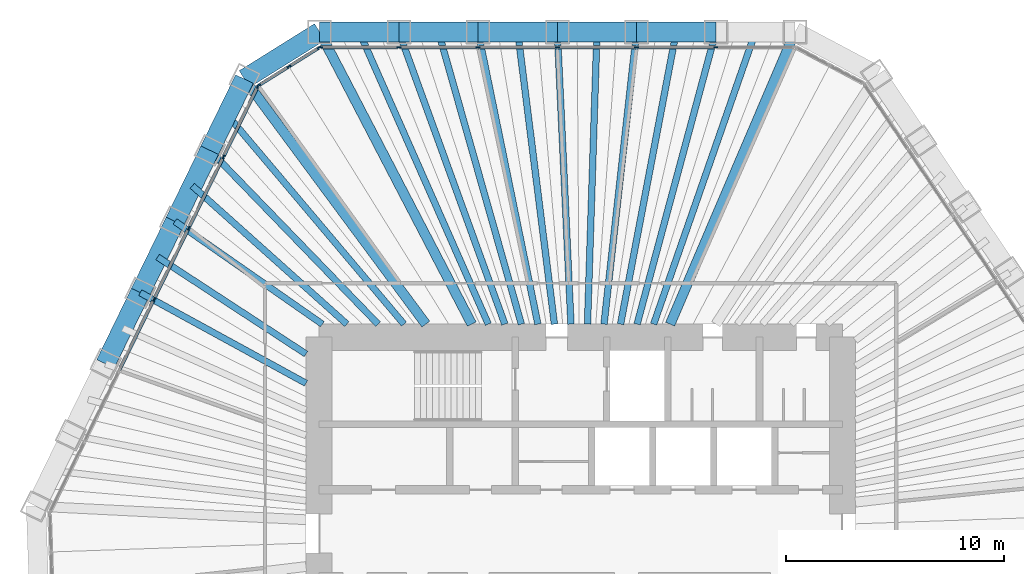
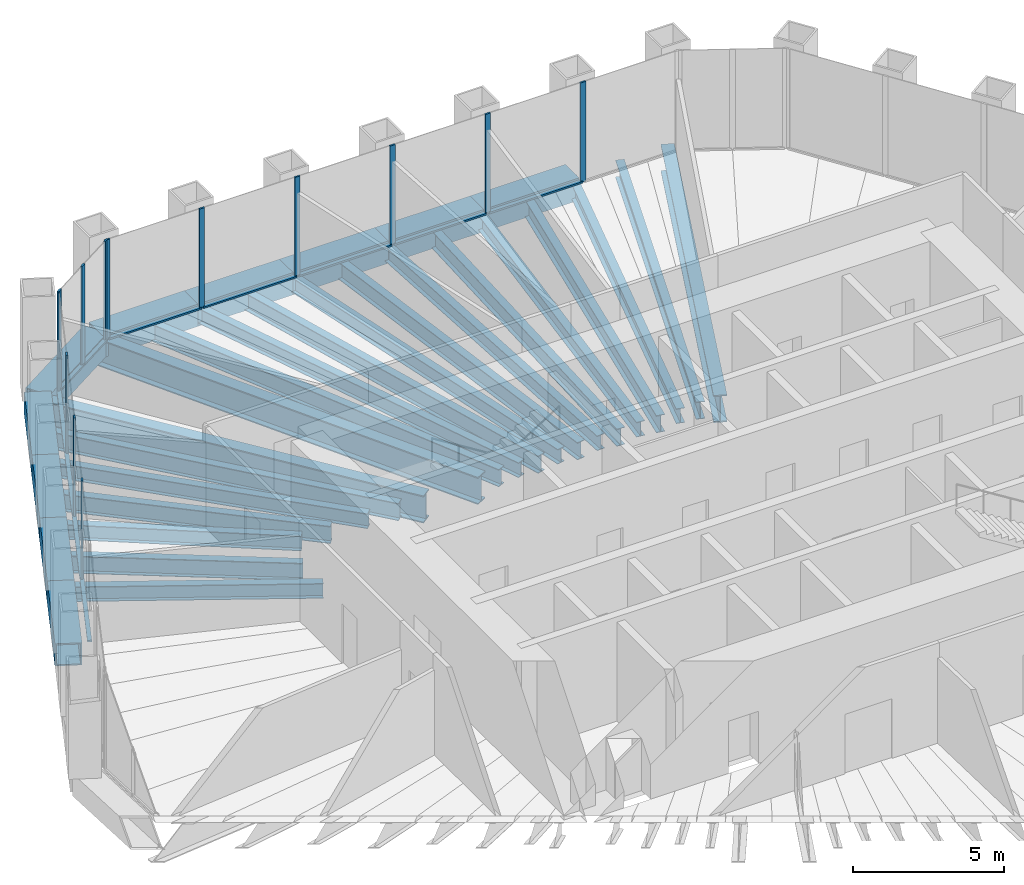
# One storey, part 6 of 14: 30 beams, 24 members, 3 elements without a shape of their own.
"""IFC4 building model written with IfcOpenShell, lengths in metres."""

from ifc_helpers import new_model, si_unit, direction, frame, origin, origin_2d, place, context, subcontext, project, spatial, rectangle, hollow_rectangle, i_section, extrude, material, material_profile, profile_set, type_object, element, aggregate, save


model = new_model("IFC4")

# Units and contexts
model_context = context("Model", 3, precision=1e-05, world=origin(), true_north=direction((0.0, 1.0)))
body_context = subcontext(model_context, "Body", "Model", "MODEL_VIEW")
ifc_project = project(units=[si_unit("LENGTHUNIT", "METRE"), si_unit("AREAUNIT", "SQUARE_METRE"), si_unit("VOLUMEUNIT", "CUBIC_METRE"), si_unit("PLANEANGLEUNIT", "RADIAN"), si_unit("MASSUNIT", "GRAM", prefix="KILO")], contexts=[model_context])

# Site, building, storey
site_placement = place(None, origin())
site = spatial("IfcSite", under=ifc_project, at=site_placement, CompositionType="ELEMENT")
building_placement = place(site_placement, origin())
building = spatial("IfcBuilding", under=site, at=building_placement, Name="Qingtian Harvest Tower", CompositionType="ELEMENT")
storey_placement = place(building_placement, frame((0.0, 0.0, 201.39990234375)))
storey = spatial("IfcBuildingStorey", under=building, at=storey_placement, Name="L43", CompositionType="ELEMENT", Elevation=201.39990234375)

# Beams
ifc_material_1 = material(Name="Steel SM570MC", Category="steel")
ifc_material_profile_1 = material_profile(ifc_material_1, i_section(OverallWidth=0.449951171875, OverallDepth=1.10009765625, WebThickness=0.02197265625, FlangeThickness=0.044921875, at=origin_2d()), Name="H1100x450x22x45")
ifc_profile_set_1 = profile_set([ifc_material_profile_1], Name="Steel SM570MC")
beam_type_1 = type_object("IfcBeamType", Name="Corner floor beam FB8 H1100x450x22x45", PredefinedType="BEAM", material=ifc_profile_set_1)
beam_1_placement = place(storey_placement, frame((-11.971923828125, 23.0, -0.719970703125), z_axis=(0.461712460868, -0.887029651973, 0.0), x_axis=(0.887029651973, 0.461712460868, 0.0)))
element("IfcBeam", 1, at=beam_1_placement, inside=storey, type_object=beam_type_1, Name="Floor beam FB8 N0", PredefinedType="BEAM", context=body_context, shape_type="SweptSolid", body=[
    extrude(i_section(OverallWidth=0.449951171875, OverallDepth=1.10009765625, WebThickness=0.02197265625, FlangeThickness=0.044921875, at=origin_2d()), origin(), (0.0, 0.0, 1.0), 15.1064453125),
])
beam_2_placement = place(storey_placement, frame((9.829345703125, 23.0, -0.719970703125), z_axis=(-0.392976835482, -0.91954837109, 0.0), x_axis=(0.91954837109, -0.392976835482, 0.0)))
element("IfcBeam", 2, at=beam_2_placement, inside=storey, type_object=beam_type_1, Name="Floor beam FB8 N6", PredefinedType="BEAM", context=body_context, shape_type="SweptSolid", body=[
    extrude(i_section(OverallWidth=0.449951171875, OverallDepth=1.10009765625, WebThickness=0.02197265625, FlangeThickness=0.044921875, at=origin_2d()), origin(), (0.0, 0.0, 1.0), 14.572265625),
])
beam_3_placement = place(storey_placement, frame((-15.424072265625, 20.8427734375, -0.719970703125), z_axis=(0.594854284538, -0.803833552526, 0.0), x_axis=(0.803833552526, 0.594854284538, 0.0)))
element("IfcBeam", 3, at=beam_3_placement, inside=storey, type_object=beam_type_1, Name="Floor beam FB8 NW6", PredefinedType="BEAM", context=body_context, shape_type="SweptSolid", body=[
    extrude(i_section(OverallWidth=0.449951171875, OverallDepth=1.10009765625, WebThickness=0.02197265625, FlangeThickness=0.044921875, at=origin_2d()), origin(), (0.0, 0.0, 1.0), 13.986328125),
])
ifc_material_2 = material(Name="Steel SN490B", Category="steel")
ifc_material_profile_2 = material_profile(ifc_material_2, i_section(OverallWidth=0.300048828125, OverallDepth=0.60009765625, WebThickness=0.011962890625, FlangeThickness=0.02001953125, at=origin_2d()), Name="H600x300x12x20")
ifc_profile_set_2 = profile_set([ifc_material_profile_2], Name="Steel SN490B")
beam_type_2 = type_object("IfcBeamType", Name="Floor beam FB3 H600x300x12x20", PredefinedType="BEAM", material=ifc_profile_set_2)
beam_4_placement = place(storey_placement, frame((-8.33837890625, 23.0, -0.469970703125), z_axis=(0.340826952705, -0.94012604916, 0.0), x_axis=(0.94012604916, 0.340826952705, 0.0)))
element("IfcBeam", 4, at=beam_4_placement, inside=storey, type_object=beam_type_2, Name="Floor beam FB3 N1", PredefinedType="BEAM", context=body_context, shape_type="SweptSolid", body=[
    extrude(i_section(OverallWidth=0.300048828125, OverallDepth=0.60009765625, WebThickness=0.011962890625, FlangeThickness=0.02001953125, at=origin_2d()), origin(), (0.0, 0.0, 1.0), 14.25341796875),
])
beam_5_placement = place(storey_placement, frame((-4.704833984375, 23.0, -0.469970703125), z_axis=(0.200401687601, -0.979713817197, 0.0), x_axis=(0.979713817197, 0.200401687601, 0.0)))
element("IfcBeam", 5, at=beam_5_placement, inside=storey, type_object=beam_type_2, Name="Floor beam FB3 N2", PredefinedType="BEAM", context=body_context, shape_type="SweptSolid", body=[
    extrude(i_section(OverallWidth=0.300048828125, OverallDepth=0.60009765625, WebThickness=0.011962890625, FlangeThickness=0.02001953125, at=origin_2d()), origin(), (0.0, 0.0, 1.0), 13.67724609375),
])
beam_6_placement = place(storey_placement, frame((-1.0712890625, 23.0, -0.469970703125), z_axis=(0.04651883736, -0.998917412888, 0.0), x_axis=(0.998917412888, 0.04651883736, 0.0)))
element("IfcBeam", 6, at=beam_6_placement, inside=storey, type_object=beam_type_2, Name="Floor beam FB3 N3", PredefinedType="BEAM", context=body_context, shape_type="SweptSolid", body=[
    extrude(i_section(OverallWidth=0.300048828125, OverallDepth=0.60009765625, WebThickness=0.011962890625, FlangeThickness=0.02001953125, at=origin_2d()), origin(), (0.0, 0.0, 1.0), 13.414306640625),
])
beam_7_placement = place(storey_placement, frame((2.562255859375, 23.0, -0.469970703125), z_axis=(-0.110727645803, -0.993850787822, 0.0), x_axis=(0.993850787822, -0.110727645803, 0.0)))
element("IfcBeam", 7, at=beam_7_placement, inside=storey, type_object=beam_type_2, Name="Floor beam FB3 N4", PredefinedType="BEAM", context=body_context, shape_type="SweptSolid", body=[
    extrude(i_section(OverallWidth=0.300048828125, OverallDepth=0.60009765625, WebThickness=0.011962890625, FlangeThickness=0.02001953125, at=origin_2d()), origin(), (0.0, 0.0, 1.0), 13.48291015625),
])
beam_8_placement = place(storey_placement, frame((6.19580078125, 23.0, -0.469970703125), z_axis=(-0.260121100906, -0.965576000563, 0.0), x_axis=(0.965576000563, -0.260121100906, 0.0)))
element("IfcBeam", 8, at=beam_8_placement, inside=storey, type_object=beam_type_2, Name="Floor beam FB3 N5", PredefinedType="BEAM", context=body_context, shape_type="SweptSolid", body=[
    extrude(i_section(OverallWidth=0.300048828125, OverallDepth=0.60009765625, WebThickness=0.011962890625, FlangeThickness=0.02001953125, at=origin_2d()), origin(), (0.0, 0.0, 1.0), 13.877685546875),
])
beam_9_placement = place(storey_placement, frame((-20.20263671875, 11.04541015625, -0.469970703125), z_axis=(0.87742673539, -0.479710666988, 0.0), x_axis=(0.479710666988, 0.87742673539, 0.0)))
element("IfcBeam", 9, at=beam_9_placement, inside=storey, type_object=beam_type_2, Name="Floor beam FB3 NW3", PredefinedType="BEAM", context=body_context, shape_type="SweptSolid", body=[
    extrude(i_section(OverallWidth=0.300048828125, OverallDepth=0.60009765625, WebThickness=0.011962890625, FlangeThickness=0.02001953125, at=origin_2d()), origin(), (0.0, 0.0, 1.0), 8.66455078125),
])
beam_10_placement = place(storey_placement, frame((-18.60986328125, 14.311279296875, -0.469970703125), z_axis=(0.820407854234, -0.571778762032, 0.0), x_axis=(0.571778762032, 0.820407854234, 0.0)))
element("IfcBeam", 10, at=beam_10_placement, inside=storey, type_object=beam_type_2, Name="Floor beam FB3 NW4", PredefinedType="BEAM", context=body_context, shape_type="SweptSolid", body=[
    extrude(i_section(OverallWidth=0.300048828125, OverallDepth=0.60009765625, WebThickness=0.011962890625, FlangeThickness=0.02001953125, at=origin_2d()), origin(), (0.0, 0.0, 1.0), 8.239501953125),
])
beam_11_placement = place(storey_placement, frame((-17.016845703125, 17.5771484375, -0.469970703125), z_axis=(0.695569024353, -0.718459276759, 0.0), x_axis=(0.718459276759, 0.695569024353, 0.0)))
element("IfcBeam", 11, at=beam_11_placement, inside=storey, type_object=beam_type_2, Name="Floor beam FB3 NW5", PredefinedType="BEAM", context=body_context, shape_type="SweptSolid", body=[
    extrude(i_section(OverallWidth=0.300048828125, OverallDepth=0.60009765625, WebThickness=0.011962890625, FlangeThickness=0.02001953125, at=origin_2d()), origin(), (0.0, 0.0, 1.0), 11.10302734375),
])
ifc_material_3 = material(Name="Steel SN490B", Category="steel")
ifc_material_profile_3 = material_profile(ifc_material_3, i_section(OverallWidth=0.300048828125, OverallDepth=0.699951171875, WebThickness=0.012939453125, FlangeThickness=0.02392578125, at=origin_2d()), Name="H700x300x13x24")
ifc_profile_set_3 = profile_set([ifc_material_profile_3], Name="Steel SN490B")
beam_type_3 = type_object("IfcBeamType", Name="Floor joist J2 H700x300x13x24", PredefinedType="JOIST", material=ifc_profile_set_3)
beam_12_placement = place(storey_placement, frame((-10.1552734375, 23.0, -0.52001953125), z_axis=(0.40391347792, -0.914797191925, 0.0), x_axis=(0.914797191925, 0.40391347792, 0.0)))
element("IfcBeam", 12, at=beam_12_placement, inside=storey, type_object=beam_type_3, Name="Floor joist J2 N0", PredefinedType="JOIST", context=body_context, shape_type="SweptSolid", body=[
    extrude(i_section(OverallWidth=0.300048828125, OverallDepth=0.699951171875, WebThickness=0.012939453125, FlangeThickness=0.02392578125, at=origin_2d()), origin(), (0.0, 0.0, 1.0), 14.64794921875),
])
beam_13_placement = place(storey_placement, frame((-6.521728515625, 23.0, -0.52001953125), z_axis=(0.272796737564, -0.962071691702, 0.0), x_axis=(0.962071691702, 0.272796737564, 0.0)))
element("IfcBeam", 13, at=beam_13_placement, inside=storey, type_object=beam_type_3, Name="Floor joist J2 N1", PredefinedType="JOIST", context=body_context, shape_type="SweptSolid", body=[
    extrude(i_section(OverallWidth=0.300048828125, OverallDepth=0.699951171875, WebThickness=0.012939453125, FlangeThickness=0.02392578125, at=origin_2d()), origin(), (0.0, 0.0, 1.0), 13.92822265625),
])
beam_14_placement = place(storey_placement, frame((-2.88818359375, 23.0, -0.52001953125), z_axis=(0.124590949529, -0.992208191508, 0.0), x_axis=(0.992208191508, 0.124590949529, 0.0)))
element("IfcBeam", 14, at=beam_14_placement, inside=storey, type_object=beam_type_3, Name="Floor joist J2 N2", PredefinedType="JOIST", context=body_context, shape_type="SweptSolid", body=[
    extrude(i_section(OverallWidth=0.300048828125, OverallDepth=0.699951171875, WebThickness=0.012939453125, FlangeThickness=0.02392578125, at=origin_2d()), origin(), (0.0, 0.0, 1.0), 13.505126953125),
])
beam_15_placement = place(storey_placement, frame((0.745361328125, 23.0, -0.52001953125), z_axis=(-0.032395624487, -0.99947512401, 0.0), x_axis=(0.99947512401, -0.032395624487, 0.0)))
element("IfcBeam", 15, at=beam_15_placement, inside=storey, type_object=beam_type_3, Name="Floor joist J2 N3", PredefinedType="JOIST", context=body_context, shape_type="SweptSolid", body=[
    extrude(i_section(OverallWidth=0.300048828125, OverallDepth=0.699951171875, WebThickness=0.012939453125, FlangeThickness=0.02392578125, at=origin_2d()), origin(), (0.0, 0.0, 1.0), 13.406982421875),
])
beam_16_placement = place(storey_placement, frame((4.37890625, 23.0, -0.52001953125), z_axis=(-0.187034797062, -0.982353289142, 0.0), x_axis=(0.982353289142, -0.187034797062, 0.0)))
element("IfcBeam", 16, at=beam_16_placement, inside=storey, type_object=beam_type_3, Name="Floor joist J2 N4", PredefinedType="JOIST", context=body_context, shape_type="SweptSolid", body=[
    extrude(i_section(OverallWidth=0.300048828125, OverallDepth=0.699951171875, WebThickness=0.012939453125, FlangeThickness=0.02392578125, at=origin_2d()), origin(), (0.0, 0.0, 1.0), 13.640625),
])
beam_17_placement = place(storey_placement, frame((8.012451171875, 23.0, -0.52001953125), z_axis=(-0.328969033283, -0.944340709247, 0.0), x_axis=(0.944340709247, -0.328969033283, 0.0)))
element("IfcBeam", 17, at=beam_17_placement, inside=storey, type_object=beam_type_3, Name="Floor joist J2 N5", PredefinedType="JOIST", context=body_context, shape_type="SweptSolid", body=[
    extrude(i_section(OverallWidth=0.300048828125, OverallDepth=0.699951171875, WebThickness=0.012939453125, FlangeThickness=0.02392578125, at=origin_2d()), origin(), (0.0, 0.0, 1.0), 14.189697265625),
])
beam_18_placement = place(storey_placement, frame((-19.40625, 12.678466796875, -0.52001953125), z_axis=(0.837161066611, -0.546956441182, 0.0), x_axis=(0.546956441182, 0.837161066611, 0.0)))
element("IfcBeam", 18, at=beam_18_placement, inside=storey, type_object=beam_type_3, Name="Floor joist J2 NW3", PredefinedType="JOIST", context=body_context, shape_type="SweptSolid", body=[
    extrude(i_section(OverallWidth=0.300048828125, OverallDepth=0.699951171875, WebThickness=0.012939453125, FlangeThickness=0.02392578125, at=origin_2d()), origin(), (0.0, 0.0, 1.0), 8.130126953125),
])
beam_19_placement = place(storey_placement, frame((-17.813232421875, 15.944091796875, -0.52001953125), z_axis=(0.745126517589, -0.66692313859, 0.0), x_axis=(0.66692313859, 0.745126517589, 0.0)))
element("IfcBeam", 19, at=beam_19_placement, inside=storey, type_object=beam_type_3, Name="Floor joist J2 NW4", PredefinedType="JOIST", context=body_context, shape_type="SweptSolid", body=[
    extrude(i_section(OverallWidth=0.300048828125, OverallDepth=0.699951171875, WebThickness=0.012939453125, FlangeThickness=0.02392578125, at=origin_2d()), origin(), (0.0, 0.0, 1.0), 9.512451171875),
])
beam_20_placement = place(storey_placement, frame((-16.220458984375, 19.2099609375, -0.52001953125), z_axis=(0.645157903911, -0.764049264787, 0.0), x_axis=(0.764049264787, 0.645157903911, 0.0)))
element("IfcBeam", 20, at=beam_20_placement, inside=storey, type_object=beam_type_3, Name="Floor joist J2 NW5", PredefinedType="JOIST", context=body_context, shape_type="SweptSolid", body=[
    extrude(i_section(OverallWidth=0.300048828125, OverallDepth=0.699951171875, WebThickness=0.012939453125, FlangeThickness=0.02392578125, at=origin_2d()), origin(), (0.0, 0.0, 1.0), 12.57763671875),
])

# Curtain wall, members
ifc_material_4 = material(Name="Bronze-anodised aluminium curtain wall", Category="aluminium")
curtain_wall_type = type_object("IfcCurtainWallType", Name="Curtain wall CW4 office", PredefinedType="USERDEFINED", material=ifc_material_4)
curtain_wall_1_placement = place(storey_placement, origin())
curtain_wall_1 = element("IfcCurtainWall", 21, at=curtain_wall_1_placement, inside=storey, type_object=curtain_wall_type, Name="Curtain wall CW4 L43 N0-5", ObjectType="RECESSED CURTAIN WALL", PredefinedType="USERDEFINED")
ifc_material_5 = material(Name="Bronze-anodised aluminium mullion", Category="aluminium")
ifc_material_profile_4 = material_profile(ifc_material_5, rectangle(XDim=0.06494140625, YDim=0.199951171875, at=origin_2d()), Name="AL 65x200")
ifc_profile_set_4 = profile_set([ifc_material_profile_4], Name="Bronze-anodised aluminium mullion")
member_type_1 = type_object("IfcMemberType", Name="Mullion CWM 65x200", PredefinedType="MULLION", material=ifc_profile_set_4)
member_1_placement = place(storey_placement, frame((-11.939453125, 22.300048828125, 0.0), z_axis=(0.0, 0.0, 1.0), x_axis=(0.0, 1.0, 0.0)))
member_1 = element("IfcMember", 22, at=member_1_placement, type_object=member_type_1, Name="CW4 mullion 1", PredefinedType="MULLION", context=body_context, shape_type="SweptSolid", body=[
    extrude(rectangle(XDim=0.06494140625, YDim=0.199951171875, at=origin_2d()), origin(), (0.0, 0.0, 1.0), 4.030029296875),
])
member_2_placement = place(storey_placement, frame((-8.33837890625, 22.300048828125, 0.0), z_axis=(0.0, 0.0, 1.0), x_axis=(0.0, 1.0, 0.0)))
member_2 = element("IfcMember", 23, at=member_2_placement, type_object=member_type_1, Name="CW4 mullion 2", PredefinedType="MULLION", context=body_context, shape_type="SweptSolid", body=[
    extrude(rectangle(XDim=0.06494140625, YDim=0.199951171875, at=origin_2d()), origin(), (0.0, 0.0, 1.0), 4.030029296875),
])
member_3_placement = place(storey_placement, frame((-4.704833984375, 22.300048828125, 0.0), z_axis=(0.0, 0.0, 1.0), x_axis=(0.0, 1.0, 0.0)))
member_3 = element("IfcMember", 24, at=member_3_placement, type_object=member_type_1, Name="CW4 mullion 3", PredefinedType="MULLION", context=body_context, shape_type="SweptSolid", body=[
    extrude(rectangle(XDim=0.06494140625, YDim=0.199951171875, at=origin_2d()), origin(), (0.0, 0.0, 1.0), 4.030029296875),
])
member_4_placement = place(storey_placement, frame((-1.0712890625, 22.300048828125, 0.0), z_axis=(0.0, 0.0, 1.0), x_axis=(0.0, 1.0, 0.0)))
member_4 = element("IfcMember", 25, at=member_4_placement, type_object=member_type_1, Name="CW4 mullion 4", PredefinedType="MULLION", context=body_context, shape_type="SweptSolid", body=[
    extrude(rectangle(XDim=0.06494140625, YDim=0.199951171875, at=origin_2d()), origin(), (0.0, 0.0, 1.0), 4.030029296875),
])
member_5_placement = place(storey_placement, frame((2.562255859375, 22.300048828125, 0.0), z_axis=(0.0, 0.0, 1.0), x_axis=(0.0, 1.0, 0.0)))
member_5 = element("IfcMember", 26, at=member_5_placement, type_object=member_type_1, Name="CW4 mullion 5", PredefinedType="MULLION", context=body_context, shape_type="SweptSolid", body=[
    extrude(rectangle(XDim=0.06494140625, YDim=0.199951171875, at=origin_2d()), origin(), (0.0, 0.0, 1.0), 4.030029296875),
])
member_6_placement = place(storey_placement, frame((6.19580078125, 22.300048828125, 0.0), z_axis=(0.0, 0.0, 1.0), x_axis=(0.0, 1.0, 0.0)))
member_6 = element("IfcMember", 27, at=member_6_placement, type_object=member_type_1, Name="CW4 mullion 6", PredefinedType="MULLION", context=body_context, shape_type="SweptSolid", body=[
    extrude(rectangle(XDim=0.06494140625, YDim=0.199951171875, at=origin_2d()), origin(), (0.0, 0.0, 1.0), 4.030029296875),
])

curtain_wall_2_placement = place(storey_placement, origin())
curtain_wall_2 = element("IfcCurtainWall", 28, at=curtain_wall_2_placement, inside=storey, type_object=curtain_wall_type, Name="Curtain wall CW4 L43 NW0-5", ObjectType="RECESSED CURTAIN WALL", PredefinedType="USERDEFINED")
member_7_placement = place(storey_placement, frame((-19.573486328125, 10.738525390625, 0.0), z_axis=(0.0, 0.0, 1.0), x_axis=(-0.898794046299, 0.438371146789, 0.0)))
member_7 = element("IfcMember", 29, at=member_7_placement, type_object=member_type_1, Name="CW4 mullion 4", PredefinedType="MULLION", context=body_context, shape_type="SweptSolid", body=[
    extrude(rectangle(XDim=0.06494140625, YDim=0.199951171875, at=origin_2d()), origin(), (0.0, 0.0, 1.0), 4.030029296875),
])
member_8_placement = place(storey_placement, frame((-17.980712890625, 14.00439453125, 0.0), z_axis=(0.0, 0.0, 1.0), x_axis=(-0.898794046299, 0.438371146789, 0.0)))
member_8 = element("IfcMember", 30, at=member_8_placement, type_object=member_type_1, Name="CW4 mullion 5", PredefinedType="MULLION", context=body_context, shape_type="SweptSolid", body=[
    extrude(rectangle(XDim=0.06494140625, YDim=0.199951171875, at=origin_2d()), origin(), (0.0, 0.0, 1.0), 4.030029296875),
])
member_9_placement = place(storey_placement, frame((-16.3876953125, 17.270263671875, 0.0), z_axis=(0.0, 0.0, 1.0), x_axis=(-0.898794046299, 0.438371146789, 0.0)))
member_9 = element("IfcMember", 31, at=member_9_placement, type_object=member_type_1, Name="CW4 mullion 6", PredefinedType="MULLION", context=body_context, shape_type="SweptSolid", body=[
    extrude(rectangle(XDim=0.06494140625, YDim=0.199951171875, at=origin_2d()), origin(), (0.0, 0.0, 1.0), 4.030029296875),
])
member_10_placement = place(storey_placement, frame((-14.80908203125, 20.5068359375, 0.0), z_axis=(0.0, 0.0, 1.0), x_axis=(-0.898794046299, 0.438371146789, 0.0)))
member_10 = element("IfcMember", 32, at=member_10_placement, type_object=member_type_1, Name="CW4 mullion 7", PredefinedType="MULLION", context=body_context, shape_type="SweptSolid", body=[
    extrude(rectangle(XDim=0.06494140625, YDim=0.199951171875, at=origin_2d()), origin(), (0.0, 0.0, 1.0), 4.030029296875),
])

curtain_wall_3_placement = place(storey_placement, origin())
curtain_wall_3 = element("IfcCurtainWall", 33, at=curtain_wall_3_placement, inside=storey, type_object=curtain_wall_type, Name="Curtain wall CW4 L43 NWC", ObjectType="RECESSED CURTAIN WALL", PredefinedType="USERDEFINED")
member_11_placement = place(storey_placement, frame((-14.767333984375, 20.55322265625, 0.0), z_axis=(0.0, 0.0, 1.0), x_axis=(-0.529919264233, 0.848048096156, 0.0)))
member_11 = element("IfcMember", 34, at=member_11_placement, type_object=member_type_1, Name="CW4 mullion 1", PredefinedType="MULLION", context=body_context, shape_type="SweptSolid", body=[
    extrude(rectangle(XDim=0.06494140625, YDim=0.199951171875, at=origin_2d()), origin(), (0.0, 0.0, 1.0), 4.030029296875),
])
member_12_placement = place(storey_placement, frame((-13.383544921875, 21.41796875, 0.0), z_axis=(0.0, 0.0, 1.0), x_axis=(-0.529919264233, 0.848048096156, 0.0)))
member_12 = element("IfcMember", 35, at=member_12_placement, type_object=member_type_1, Name="CW4 mullion 2", PredefinedType="MULLION", context=body_context, shape_type="SweptSolid", body=[
    extrude(rectangle(XDim=0.06494140625, YDim=0.199951171875, at=origin_2d()), origin(), (0.0, 0.0, 1.0), 4.030029296875),
])
member_13_placement = place(storey_placement, frame((-11.99951171875, 22.28271484375, 0.0), z_axis=(0.0, 0.0, 1.0), x_axis=(-0.529919264233, 0.848048096156, 0.0)))
member_13 = element("IfcMember", 36, at=member_13_placement, type_object=member_type_1, Name="CW4 mullion 3", PredefinedType="MULLION", context=body_context, shape_type="SweptSolid", body=[
    extrude(rectangle(XDim=0.06494140625, YDim=0.199951171875, at=origin_2d()), origin(), (0.0, 0.0, 1.0), 4.030029296875),
])

# Beams
ifc_material_6 = material(Name="Steel SM570MC", Category="steel")
ifc_material_profile_5 = material_profile(ifc_material_6, hollow_rectangle(XDim=0.89990234375, YDim=0.89990234375, WallThickness=0.050048828125, at=origin_2d()), Name="BOX900x900x50")
ifc_profile_set_5 = profile_set([ifc_material_profile_5], Name="Steel SM570MC")
beam_type_4 = type_object("IfcBeamType", Name="Transition spandrel SB6 BOX900x900x50", PredefinedType="SPANDREL", material=ifc_profile_set_5)
for number, where, z_axis, x_axis, name in (
    (37, (-11.971923828125, 23.0, -0.449951171875), (1.0, 0.0, 0.0), (0.0, 1.0, 0.0), "Spandrel SB6 N0"),
    (38, (-8.33837890625, 23.0, -0.449951171875), (1.0, 0.0, 0.0), (0.0, 1.0, 0.0), "Spandrel SB6 N1"),
    (39, (-4.704833984375, 23.0, -0.449951171875), (1.0, 0.0, 0.0), (0.0, 1.0, 0.0), "Spandrel SB6 N2"),
    (40, (-1.0712890625, 23.0, -0.449951171875), (1.0, 0.0, 0.0), (0.0, 1.0, 0.0), "Spandrel SB6 N3"),
    (41, (2.562255859375, 23.0, -0.449951171875), (1.0, 0.0, 0.0), (0.0, 1.0, 0.0), "Spandrel SB6 N4"),
    (42, (-21.79541015625, 7.779541015625, -0.449951171875), (0.438349498419, 0.898804604592, 0.0), (-0.898804604592, 0.438349498419, 0.0), "Spandrel SB6 NW2"),
    (43, (-20.20263671875, 11.04541015625, -0.449951171875), (0.438349498419, 0.898804604592, 0.0), (-0.898804604592, 0.438349498419, 0.0), "Spandrel SB6 NW3"),
):
    element("IfcBeam", number, at=place(storey_placement, frame(where, z_axis=z_axis, x_axis=x_axis)), inside=storey, type_object=beam_type_4, Name=name, PredefinedType="SPANDREL", context=body_context, shape_type="SweptSolid", body=[
        extrude(hollow_rectangle(XDim=0.89990234375, YDim=0.89990234375, WallThickness=0.050048828125, at=origin_2d()), origin(), (0.0, 0.0, 1.0), 3.633544921875),
    ])
beam_21_placement = place(storey_placement, frame((-18.60986328125, 14.311279296875, -0.449951171875), z_axis=(0.438403775684, 0.898778131391, 0.0), x_axis=(-0.898778131391, 0.438403775684, 0.0)))
element("IfcBeam", 44, at=beam_21_placement, inside=storey, type_object=beam_type_4, Name="Spandrel SB6 NW4", PredefinedType="SPANDREL", context=body_context, shape_type="SweptSolid", body=[
    extrude(hollow_rectangle(XDim=0.89990234375, YDim=0.89990234375, WallThickness=0.050048828125, at=origin_2d()), origin(), (0.0, 0.0, 1.0), 3.6337890625),
])
beam_22_placement = place(storey_placement, frame((-17.016845703125, 17.5771484375, -0.449951171875), z_axis=(0.43837597217, 0.898791692788, 0.0), x_axis=(-0.898791692788, 0.43837597217, 0.0)))
element("IfcBeam", 45, at=beam_22_placement, inside=storey, type_object=beam_type_4, Name="Spandrel SB6 NW5", PredefinedType="SPANDREL", context=body_context, shape_type="SweptSolid", body=[
    extrude(hollow_rectangle(XDim=0.89990234375, YDim=0.89990234375, WallThickness=0.050048828125, at=origin_2d()), origin(), (0.0, 0.0, 1.0), 3.63330078125),
])
beam_23_placement = place(storey_placement, frame((-15.424072265625, 20.8427734375, -0.449951171875), z_axis=(0.848038733752, 0.529934246919, 0.0), x_axis=(-0.529934246919, 0.848038733752, 0.0)))
element("IfcBeam", 46, at=beam_23_placement, inside=storey, type_object=beam_type_4, Name="Spandrel SB6 NWC", PredefinedType="SPANDREL", context=body_context, shape_type="SweptSolid", body=[
    extrude(hollow_rectangle(XDim=0.89990234375, YDim=0.89990234375, WallThickness=0.050048828125, at=origin_2d()), origin(), (0.0, 0.0, 1.0), 4.07080078125),
])

# Member
ifc_material_7 = material(Name="Bronze-anodised aluminium transom", Category="aluminium")
ifc_material_profile_6 = material_profile(ifc_material_7, rectangle(XDim=0.14990234375, YDim=0.06494140625, at=origin_2d()), Name="AL 65x150")
ifc_profile_set_6 = profile_set([ifc_material_profile_6], Name="Bronze-anodised aluminium transom")
member_type_2 = type_object("IfcMemberType", Name="Transom CWT 65x150", PredefinedType="USERDEFINED", material=ifc_profile_set_6)
member_14_placement = place(storey_placement, frame((-11.906982421875, 22.300048828125, 0.03271484375), z_axis=(1.0, 0.0, 0.0), x_axis=(0.0, 1.0, 0.0)))
member_14 = element("IfcMember", 47, at=member_14_placement, type_object=member_type_2, Name="CW4 transom 1.1", ObjectType="TRANSOM", PredefinedType="USERDEFINED", context=body_context, shape_type="SweptSolid", body=[
    extrude(rectangle(XDim=0.14990234375, YDim=0.06494140625, at=origin_2d()), origin(), (0.0, 0.0, 1.0), 3.5361328125),
])

member_15_placement = place(storey_placement, frame((-8.305908203125, 22.300048828125, 0.03271484375), z_axis=(1.0, 0.0, 0.0), x_axis=(0.0, 1.0, 0.0)))
member_15 = element("IfcMember", 48, at=member_15_placement, type_object=member_type_2, Name="CW4 transom 2.1", ObjectType="TRANSOM", PredefinedType="USERDEFINED", context=body_context, shape_type="SweptSolid", body=[
    extrude(rectangle(XDim=0.14990234375, YDim=0.06494140625, at=origin_2d()), origin(), (0.0, 0.0, 1.0), 3.568603515625),
])

member_16_placement = place(storey_placement, frame((-4.67236328125, 22.300048828125, 0.03271484375), z_axis=(1.0, 0.0, 0.0), x_axis=(0.0, 1.0, 0.0)))
member_16 = element("IfcMember", 49, at=member_16_placement, type_object=member_type_2, Name="CW4 transom 3.1", ObjectType="TRANSOM", PredefinedType="USERDEFINED", context=body_context, shape_type="SweptSolid", body=[
    extrude(rectangle(XDim=0.14990234375, YDim=0.06494140625, at=origin_2d()), origin(), (0.0, 0.0, 1.0), 3.568603515625),
])

member_17_placement = place(storey_placement, frame((-1.038818359375, 22.300048828125, 0.03271484375), z_axis=(1.0, 0.0, 0.0), x_axis=(0.0, 1.0, 0.0)))
member_17 = element("IfcMember", 50, at=member_17_placement, type_object=member_type_2, Name="CW4 transom 4.1", ObjectType="TRANSOM", PredefinedType="USERDEFINED", context=body_context, shape_type="SweptSolid", body=[
    extrude(rectangle(XDim=0.14990234375, YDim=0.06494140625, at=origin_2d()), origin(), (0.0, 0.0, 1.0), 3.568603515625),
])

member_18_placement = place(storey_placement, frame((2.5947265625, 22.300048828125, 0.03271484375), z_axis=(1.0, 0.0, 0.0), x_axis=(0.0, 1.0, 0.0)))
member_18 = element("IfcMember", 51, at=member_18_placement, type_object=member_type_2, Name="CW4 transom 5.1", ObjectType="TRANSOM", PredefinedType="USERDEFINED", context=body_context, shape_type="SweptSolid", body=[
    extrude(rectangle(XDim=0.14990234375, YDim=0.06494140625, at=origin_2d()), origin(), (0.0, 0.0, 1.0), 3.568603515625),
])

aggregate(curtain_wall_1, [member_1, member_2, member_3, member_4, member_5, member_6, member_14, member_15, member_16, member_17, member_18])

member_19_placement = place(storey_placement, frame((-21.152099609375, 7.501953125, 0.03271484375), z_axis=(0.438380500422, 0.898789484167, 0.0), x_axis=(-0.898789484167, 0.438380500422, 0.0)))
member_19 = element("IfcMember", 52, at=member_19_placement, type_object=member_type_2, Name="CW4 transom 3.1", ObjectType="TRANSOM", PredefinedType="USERDEFINED", context=body_context, shape_type="SweptSolid", body=[
    extrude(rectangle(XDim=0.14990234375, YDim=0.06494140625, at=origin_2d()), origin(), (0.0, 0.0, 1.0), 3.568603515625),
])

member_20_placement = place(storey_placement, frame((-19.559326171875, 10.767822265625, 0.03271484375), z_axis=(0.438407456795, 0.898776335818, 0.0), x_axis=(-0.898776335818, 0.438407456795, 0.0)))
member_20 = element("IfcMember", 53, at=member_20_placement, type_object=member_type_2, Name="CW4 transom 4.1", ObjectType="TRANSOM", PredefinedType="USERDEFINED", context=body_context, shape_type="SweptSolid", body=[
    extrude(rectangle(XDim=0.14990234375, YDim=0.06494140625, at=origin_2d()), origin(), (0.0, 0.0, 1.0), 3.568603515625),
])

member_21_placement = place(storey_placement, frame((-17.96630859375, 14.03369140625, 0.03271484375), z_axis=(0.438352188226, 0.898803292761, 0.0), x_axis=(-0.898803292761, 0.438352188226, 0.0)))
member_21 = element("IfcMember", 54, at=member_21_placement, type_object=member_type_2, Name="CW4 transom 5.1", ObjectType="TRANSOM", PredefinedType="USERDEFINED", context=body_context, shape_type="SweptSolid", body=[
    extrude(rectangle(XDim=0.14990234375, YDim=0.06494140625, at=origin_2d()), origin(), (0.0, 0.0, 1.0), 3.568359375),
])

member_22_placement = place(storey_placement, frame((-16.37353515625, 17.29931640625, 0.03271484375), z_axis=(0.438354255898, 0.898802284341, 0.0), x_axis=(-0.898802284341, 0.438354255898, 0.0)))
member_22 = element("IfcMember", 55, at=member_22_placement, type_object=member_type_2, Name="CW4 transom 6.1", ObjectType="TRANSOM", PredefinedType="USERDEFINED", context=body_context, shape_type="SweptSolid", body=[
    extrude(rectangle(XDim=0.14990234375, YDim=0.06494140625, at=origin_2d()), origin(), (0.0, 0.0, 1.0), 3.5361328125),
])

aggregate(curtain_wall_2, [member_7, member_8, member_9, member_10, member_19, member_20, member_21, member_22])

member_23_placement = place(storey_placement, frame((-14.73974609375, 20.570556640625, 0.03271484375), z_axis=(0.848015812303, 0.529970925697, 0.0), x_axis=(-0.529970925697, 0.848015812303, 0.0)))
member_23 = element("IfcMember", 56, at=member_23_placement, type_object=member_type_2, Name="CW4 transom 1.1", ObjectType="TRANSOM", PredefinedType="USERDEFINED", context=body_context, shape_type="SweptSolid", body=[
    extrude(rectangle(XDim=0.14990234375, YDim=0.06494140625, at=origin_2d()), origin(), (0.0, 0.0, 1.0), 1.566650390625),
])

member_24_placement = place(storey_placement, frame((-13.35595703125, 21.435302734375, 0.03271484375), z_axis=(0.848059570903, 0.529900900357, 0.0), x_axis=(-0.529900900357, 0.848059570903, 0.0)))
member_24 = element("IfcMember", 57, at=member_24_placement, type_object=member_type_2, Name="CW4 transom 2.1", ObjectType="TRANSOM", PredefinedType="USERDEFINED", context=body_context, shape_type="SweptSolid", body=[
    extrude(rectangle(XDim=0.14990234375, YDim=0.06494140625, at=origin_2d()), origin(), (0.0, 0.0, 1.0), 1.56689453125),
])

aggregate(curtain_wall_3, [member_11, member_12, member_13, member_23, member_24])

save(model, "model.ifc")
